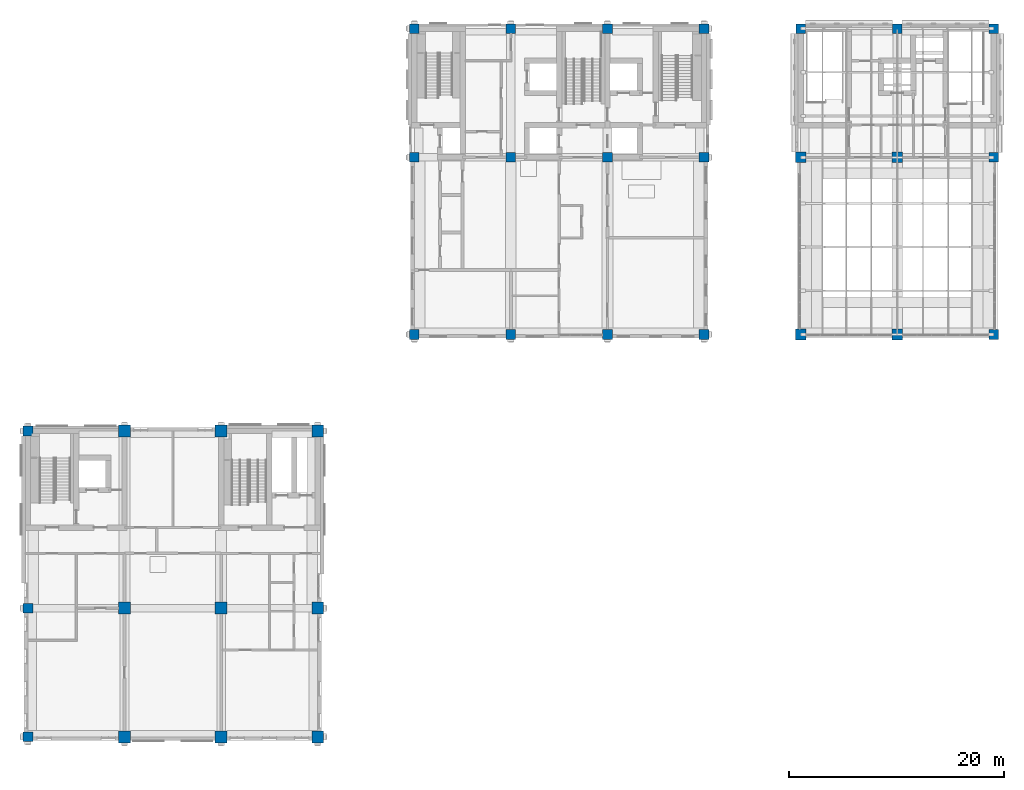
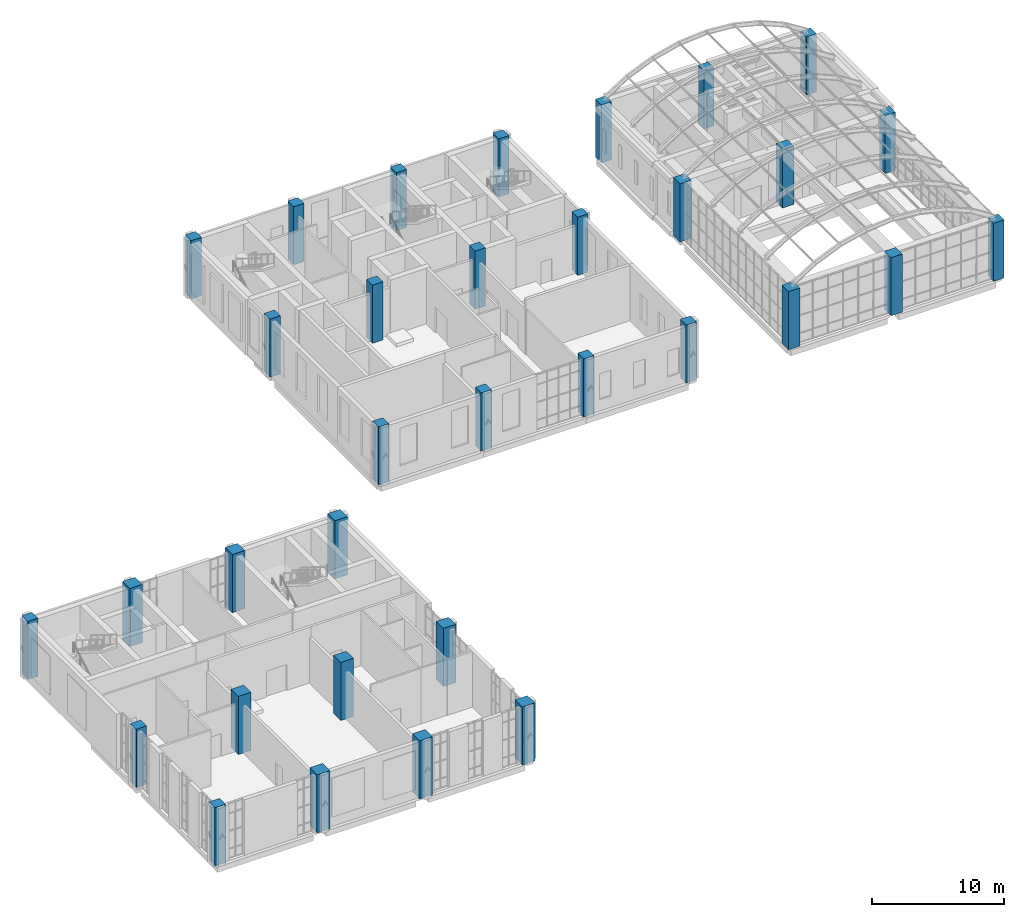
# One storey, part 1 of 39: 33 columns.
"""IFC4 building model written with IfcOpenShell, lengths in metres."""

import ifcopenshell
import ifcopenshell.guid

model = None  # the IFC model being written
_history = None  # IfcOwnerHistory: only IFC2X3 demands one
_inside = {}  # id of a spatial element -> (the spatial element, [elements in it])
_under = {}  # id of a project, library or spatial element -> (it, [spatial elements below it])
_declared = {}  # id of a project -> (the project, [libraries it declares])
_typed = {}  # id of a type object -> (the type object, [elements of that type])
_made_of = {}  # id of a material, layer set ... -> (it, [elements and type objects made of it])


def new_model(schema):
    """Start an empty IFC model of exactly this schema.

    Asked for "IFC4X3", IfcOpenShell would pick the latest addendum, in which some entities
    have other attributes; the version numbers below select the first issue.
    IFC2X3 requires an IfcOwnerHistory on every rooted entity: one is made here for all.
    """
    global model, _history
    if schema == "IFC4X3":
        model = ifcopenshell.file(schema_version=(4, 3, 0, 0))
    else:
        model = ifcopenshell.file(schema=schema)
    _inside.clear()
    _under.clear()
    _declared.clear()
    _typed.clear()
    _made_of.clear()
    _history = None
    if model.schema == "IFC2X3":
        org = make("IfcOrganization", Name="unknown")
        user = make(
            "IfcPersonAndOrganization",
            ThePerson=make("IfcPerson", FamilyName="unknown"),
            TheOrganization=org,
        )
        app = make(
            "IfcApplication",
            ApplicationDeveloper=org,
            Version="unknown",
            ApplicationFullName="unknown",
            ApplicationIdentifier="unknown",
        )
        _history = make(
            "IfcOwnerHistory",
            OwningUser=user,
            OwningApplication=app,
            ChangeAction="ADDED",
            CreationDate=0,
        )
    return model


def make(cls, **values):
    """One entity of the class cls with the attributes given. An attribute that is None is left unset."""
    return model.create_entity(
        cls, **{name: value for name, value in values.items() if value is not None}
    )


def rooted(cls, **values):
    """An entity with a GlobalId (a new one), such as an element, a storey or a relation."""
    return make(cls, GlobalId=ifcopenshell.guid.new(), OwnerHistory=_history, **values)


def si_unit(unit_type, name, prefix=None):
    """IfcSIUnit, for example si_unit("LENGTHUNIT", "METRE", prefix="MILLI")."""
    return make("IfcSIUnit", UnitType=unit_type, Prefix=prefix, Name=name)


def assignment(units):
    """IfcUnitAssignment: the units of a project."""
    return None if units is None else make("IfcUnitAssignment", Units=units)


def point(xyz):
    """IfcCartesianPoint."""
    return None if xyz is None else make("IfcCartesianPoint", Coordinates=xyz)


def direction(xyz):
    """IfcDirection."""
    return None if xyz is None else make("IfcDirection", DirectionRatios=xyz)


def frame(location, z_axis=None, x_axis=None):
    """IfcAxis2Placement3D, a coordinate frame: its origin and axes. An axis left out is left unset."""
    return make(
        "IfcAxis2Placement3D",
        Location=point(location),
        Axis=direction(z_axis),
        RefDirection=direction(x_axis),
    )


def frame_2d(location, x_axis=None):
    """IfcAxis2Placement2D, a coordinate frame in the plane: its origin and x axis."""
    return make(
        "IfcAxis2Placement2D", Location=point(location), RefDirection=direction(x_axis)
    )


def origin():
    """The frame at (0, 0, 0) with its axes left unset."""
    return frame((0.0, 0.0, 0.0))


def origin_2d():
    """The frame at (0, 0) in the plane with its x axis left unset."""
    return frame_2d((0.0, 0.0))


def place(relative_to, where):
    """IfcLocalPlacement: puts the frame where relative to a parent placement (None: the world)."""
    return make(
        "IfcLocalPlacement", PlacementRelTo=relative_to, RelativePlacement=where
    )


def context(
    kind, dimensions, precision=None, world=None, true_north=None, identifier=None
):
    """IfcGeometricRepresentationContext, for example the 3D "Model" context."""
    return make(
        "IfcGeometricRepresentationContext",
        ContextIdentifier=identifier,
        ContextType=kind,
        CoordinateSpaceDimension=dimensions,
        Precision=precision,
        WorldCoordinateSystem=world,
        TrueNorth=true_north,
    )


def subcontext(parent, identifier, kind, view, scale=None):
    """IfcGeometricRepresentationSubContext, for example "Body" below "Model"."""
    return make(
        "IfcGeometricRepresentationSubContext",
        ContextIdentifier=identifier,
        ContextType=kind,
        ParentContext=parent,
        TargetScale=scale,
        TargetView=view,
    )


def project(units=None, contexts=None):
    """IfcProject with its units and contexts."""
    return rooted(
        "IfcProject",
        Name="project",
        RepresentationContexts=contexts,
        UnitsInContext=assignment(units),
    )


def spatial(cls, under=None, at=None, **own):
    """A site, building, storey or space (cls), placed at a placement, below another one or the project."""
    s = rooted(cls, ObjectPlacement=at, **own)
    if under is not None:
        _under.setdefault(under.id(), (under, []))[1].append(s)
    return s


def profile(cls, at=None, kind="AREA", **sizes):
    """A parametric profile (cls). Its sizes go by their IFC names, for example OverallWidth=200.0."""
    return make(cls, ProfileType=kind, Position=at, **sizes)


def rectangle(**sizes):
    """IfcRectangleProfileDef."""
    return profile("IfcRectangleProfileDef", **sizes)


def extrude(swept, where, along, depth):
    """IfcExtrudedAreaSolid: the profile swept, set in the frame where, extruded along a direction by depth."""
    return make(
        "IfcExtrudedAreaSolid",
        SweptArea=swept,
        Position=where,
        ExtrudedDirection=direction(along),
        Depth=depth,
    )


def shape(context_of_items, identifier, shape_type, items):
    """IfcShapeRepresentation: the items that make up one representation, for example the "Body"."""
    return make(
        "IfcShapeRepresentation",
        ContextOfItems=context_of_items,
        RepresentationIdentifier=identifier,
        RepresentationType=shape_type,
        Items=items,
    )


def material(Name=None, Category=None):
    """IfcMaterial."""
    return make("IfcMaterial", Name=Name, Category=Category)


def material_profile(
    of_material, cross_section, Name=None, Category=None, Priority=None
):
    """IfcMaterialProfile: a cross section and its material."""
    return make(
        "IfcMaterialProfile",
        Name=Name,
        Material=of_material,
        Profile=cross_section,
        Priority=Priority,
        Category=Category,
    )


def profile_set(profiles, Name=None, composite=None):
    """IfcMaterialProfileSet."""
    return make(
        "IfcMaterialProfileSet",
        Name=Name,
        MaterialProfiles=profiles,
        CompositeProfile=composite,
    )


def made_of(thing, what):
    """Note that an element or type object is made of a material, layer set ...; save() writes the relation."""
    if what is not None:
        _made_of.setdefault(what.id(), (what, []))[1].append(thing)
    return thing


def type_object(cls, material=None, **own):
    """A type object (cls), such as IfcWallType, which elements share."""
    return made_of(rooted(cls, **own), material)


def element(
    cls,
    number,
    at=None,
    inside=None,
    cuts=None,
    type_object=None,
    material=None,
    context=None,
    identifier="Body",
    shape_type=None,
    held_by="IfcProductDefinitionShape",
    body=None,
    shapes=None,
    **own,
):
    """One element of the class cls, such as IfcWall. Its Tag is "e" and its number.

    at: its placement. inside: the storey or other place that contains it. cuts: it is an
    opening in that element (IfcRelVoidsElement). A single representation is given by context,
    identifier, shape_type and body (its items); several are given by shapes. held_by: the class
    of the entity that holds the representations. save() writes the other relations.
    """
    e = rooted(cls, Tag="e%d" % number, ObjectPlacement=at, **own)
    if body is not None:
        shapes = [shape(context, identifier, shape_type, body)]
    if shapes is not None:
        e.Representation = make(held_by, Representations=shapes)
    if inside is not None:
        _inside.setdefault(inside.id(), (inside, []))[1].append(e)
    if cuts is not None:
        rooted(
            "IfcRelVoidsElement", RelatingBuildingElement=cuts, RelatedOpeningElement=e
        )
    if type_object is not None:
        _typed.setdefault(type_object.id(), (type_object, []))[1].append(e)
    return made_of(e, material)


def aggregate(whole, parts):
    """IfcRelAggregates: a whole, such as a stair, and the parts it consists of."""
    return rooted("IfcRelAggregates", RelatingObject=whole, RelatedObjects=parts)


def save(model, path):
    """Write the relations noted so far, then the file.

    IfcRelAggregates (storeys below a building ...), IfcRelContainedInSpatialStructure (elements
    in a storey), IfcRelDefinesByType, IfcRelAssociatesMaterial and IfcRelDeclares: one each for
    every whole, place, type object, material and project.
    """
    for whole, parts in _under.values():
        aggregate(whole, parts)
    for where, things in _inside.values():
        rooted(
            "IfcRelContainedInSpatialStructure",
            RelatedElements=things,
            RelatingStructure=where,
        )
    for kind, things in _typed.values():
        rooted("IfcRelDefinesByType", RelatedObjects=things, RelatingType=kind)
    for what, things in _made_of.values():
        rooted("IfcRelAssociatesMaterial", RelatedObjects=things, RelatingMaterial=what)
    for by, libraries in _declared.values():
        rooted("IfcRelDeclares", RelatingContext=by, RelatedDefinitions=libraries)
    model.write(path)


model = new_model("IFC4")

# Units and contexts
model_context = context("Model", 3, precision=1e-05, world=origin(), true_north=direction((0.0, 1.0)))
body_context = subcontext(model_context, "Body", "Model", "MODEL_VIEW")
ifc_project = project(units=[si_unit("LENGTHUNIT", "METRE"), si_unit("AREAUNIT", "SQUARE_METRE"), si_unit("VOLUMEUNIT", "CUBIC_METRE"), si_unit("PLANEANGLEUNIT", "RADIAN"), si_unit("MASSUNIT", "GRAM", prefix="KILO")], contexts=[model_context])

# Site, building, storey
site_placement = place(None, origin())
site = spatial("IfcSite", under=ifc_project, at=site_placement, CompositionType="ELEMENT")
building_placement = place(site_placement, origin())
building = spatial("IfcBuilding", under=site, at=building_placement, Name="Aurelan Courthouse", CompositionType="ELEMENT")
storey_placement = place(building_placement, frame((0.0, 0.0, 28.199951171875)))
storey = spatial("IfcBuildingStorey", under=building, at=storey_placement, Name="L05", CompositionType="ELEMENT", Elevation=28.199951171875)

# Columns
ifc_material = material(Name="Concrete C50", Category="concrete")
ifc_material_profile_1 = material_profile(ifc_material, rectangle(XDim=1.0, YDim=1.0, at=origin_2d()), Name="RC 1000 x 1000")
ifc_profile_set_1 = profile_set([ifc_material_profile_1], Name="Concrete C50")
column_type_1 = type_object("IfcColumnType", Name="RC column 1000 x 1000 C50", PredefinedType="COLUMN", material=ifc_profile_set_1)
for number, where, z_axis, x_axis, name in (
    (1, (72.0, 37.5, 0.0), (0.0, 0.0, 1.0), (1.0, 0.0, 0.0), "Column C-D9-A"),
    (2, (81.0, 37.5, 0.0), (0.0, 0.0, 1.0), (1.0, 0.0, 0.0), "Column C-D10-A"),
    (3, (72.0, 54.0, 0.0), (0.0, 0.0, 1.0), (1.0, 0.0, 0.0), "Column C-E9-A"),
    (4, (81.0, 54.0, 0.0), (0.0, 0.0, 1.0), (1.0, 0.0, 0.0), "Column C-E10-A"),
):
    element("IfcColumn", number, at=place(storey_placement, frame(where, z_axis=z_axis, x_axis=x_axis)), inside=storey, type_object=column_type_1, Name=name, PredefinedType="COLUMN", context=body_context, shape_type="SweptSolid", body=[
        extrude(rectangle(XDim=1.0, YDim=1.0, at=origin_2d()), origin(), (0.0, 0.0, 1.0), 5.400146484375),
    ])
ifc_material_profile_2 = material_profile(ifc_material, rectangle(XDim=1.10009765625, YDim=1.10009765625, at=origin_2d()), Name="RC 1100 x 1100")
ifc_profile_set_2 = profile_set([ifc_material_profile_2], Name="Concrete C50")
column_type_2 = type_object("IfcColumnType", Name="RC column 1100 x 1100 C50", PredefinedType="COLUMN", material=ifc_profile_set_2)
for number, where, z_axis, x_axis, name in (
    (5, (9.0, 0.0, 0.0), (0.0, 0.0, 1.0), (1.0, 0.0, 0.0), "Column C-A2-C"),
    (6, (18.0, 0.0, 0.0), (0.0, 0.0, 1.0), (1.0, 0.0, 0.0), "Column C-A3-C"),
    (7, (27.0, 0.0, 0.0), (0.0, 0.0, 1.0), (1.0, 0.0, 0.0), "Column C-A4-C"),
    (8, (9.0, 12.0, 0.0), (0.0, 0.0, 1.0), (1.0, 0.0, 0.0), "Column C-B2-C"),
    (9, (18.0, 12.0, 0.0), (0.0, 0.0, 1.0), (1.0, 0.0, 0.0), "Column C-B3-C"),
    (10, (27.0, 12.0, 0.0), (0.0, 0.0, 1.0), (1.0, 0.0, 0.0), "Column C-B4-C"),
    (11, (9.0, 28.5, 0.0), (0.0, 0.0, 1.0), (1.0, 0.0, 0.0), "Column C-C2-C"),
    (12, (18.0, 28.5, 0.0), (0.0, 0.0, 1.0), (1.0, 0.0, 0.0), "Column C-C3-C"),
    (13, (27.0, 28.5, 0.0), (0.0, 0.0, 1.0), (1.0, 0.0, 0.0), "Column C-C4-C"),
):
    element("IfcColumn", number, at=place(storey_placement, frame(where, z_axis=z_axis, x_axis=x_axis)), inside=storey, type_object=column_type_2, Name=name, PredefinedType="COLUMN", context=body_context, shape_type="SweptSolid", body=[
        extrude(rectangle(XDim=1.10009765625, YDim=1.10009765625, at=origin_2d()), origin(), (0.0, 0.0, 1.0), 5.400146484375),
    ])
ifc_material_profile_3 = material_profile(ifc_material, rectangle(XDim=0.89990234375, YDim=0.89990234375, at=origin_2d()), Name="RC 900 x 900")
ifc_profile_set_3 = profile_set([ifc_material_profile_3], Name="Concrete C50")
column_type_3 = type_object("IfcColumnType", Name="RC column 900 x 900 C50", PredefinedType="COLUMN", material=ifc_profile_set_3)
for number, where, z_axis, x_axis, name in (
    (14, (0.0, 0.0, 0.0), (0.0, 0.0, 1.0), (1.0, 0.0, 0.0), "Column C-A1-C"),
    (15, (0.0, 12.0, 0.0), (0.0, 0.0, 1.0), (1.0, 0.0, 0.0), "Column C-B1-C"),
    (16, (0.0, 28.5, 0.0), (0.0, 0.0, 1.0), (1.0, 0.0, 0.0), "Column C-C1-C"),
    (17, (36.0, 37.5, 0.0), (0.0, 0.0, 1.0), (1.0, 0.0, 0.0), "Column C-D5-B"),
    (18, (45.0, 37.5, 0.0), (0.0, 0.0, 1.0), (1.0, 0.0, 0.0), "Column C-D6-B"),
    (19, (54.0, 37.5, 0.0), (0.0, 0.0, 1.0), (1.0, 0.0, 0.0), "Column C-D7-B"),
    (20, (63.0, 37.5, 0.0), (0.0, 0.0, 1.0), (1.0, 0.0, 0.0), "Column C-D8-B"),
    (21, (90.0, 37.5, 0.0), (0.0, 0.0, 1.0), (1.0, 0.0, 0.0), "Column C-D11-A"),
    (22, (36.0, 54.0, 0.0), (0.0, 0.0, 1.0), (1.0, 0.0, 0.0), "Column C-E5-B"),
    (23, (45.0, 54.0, 0.0), (0.0, 0.0, 1.0), (1.0, 0.0, 0.0), "Column C-E6-B"),
    (24, (54.0, 54.0, 0.0), (0.0, 0.0, 1.0), (1.0, 0.0, 0.0), "Column C-E7-B"),
    (25, (63.0, 54.0, 0.0), (0.0, 0.0, 1.0), (1.0, 0.0, 0.0), "Column C-E8-B"),
    (26, (90.0, 54.0, 0.0), (0.0, 0.0, 1.0), (1.0, 0.0, 0.0), "Column C-E11-A"),
    (27, (36.0, 66.0, 0.0), (0.0, 0.0, 1.0), (1.0, 0.0, 0.0), "Column C-F5-B"),
    (28, (45.0, 66.0, 0.0), (0.0, 0.0, 1.0), (1.0, 0.0, 0.0), "Column C-F6-B"),
    (29, (54.0, 66.0, 0.0), (0.0, 0.0, 1.0), (1.0, 0.0, 0.0), "Column C-F7-B"),
    (30, (63.0, 66.0, 0.0), (0.0, 0.0, 1.0), (1.0, 0.0, 0.0), "Column C-F8-B"),
    (31, (72.0, 66.0, 0.0), (0.0, 0.0, 1.0), (1.0, 0.0, 0.0), "Column C-F9-A"),
    (32, (81.0, 66.0, 0.0), (0.0, 0.0, 1.0), (1.0, 0.0, 0.0), "Column C-F10-A"),
    (33, (90.0, 66.0, 0.0), (0.0, 0.0, 1.0), (1.0, 0.0, 0.0), "Column C-F11-A"),
):
    element("IfcColumn", number, at=place(storey_placement, frame(where, z_axis=z_axis, x_axis=x_axis)), inside=storey, type_object=column_type_3, Name=name, PredefinedType="COLUMN", context=body_context, shape_type="SweptSolid", body=[
        extrude(rectangle(XDim=0.89990234375, YDim=0.89990234375, at=origin_2d()), origin(), (0.0, 0.0, 1.0), 5.400146484375),
    ])

save(model, "model.ifc")
